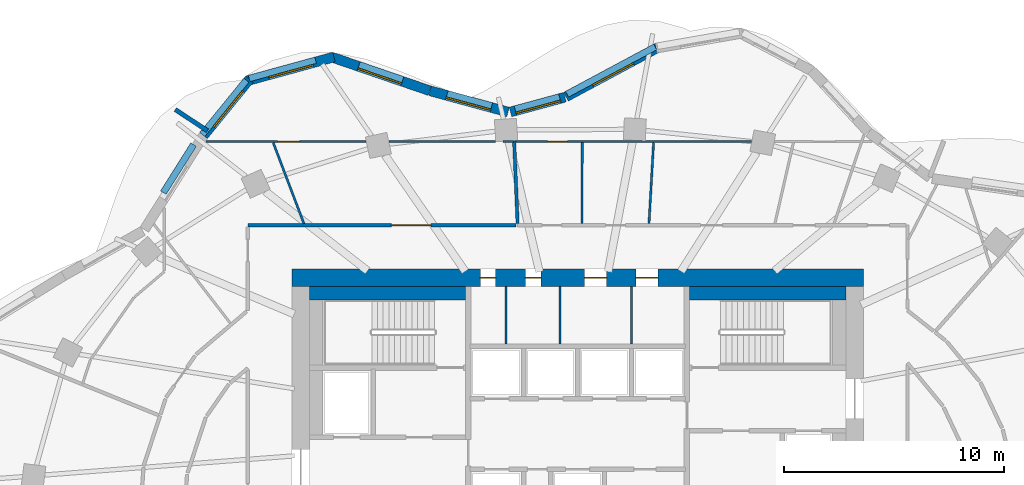
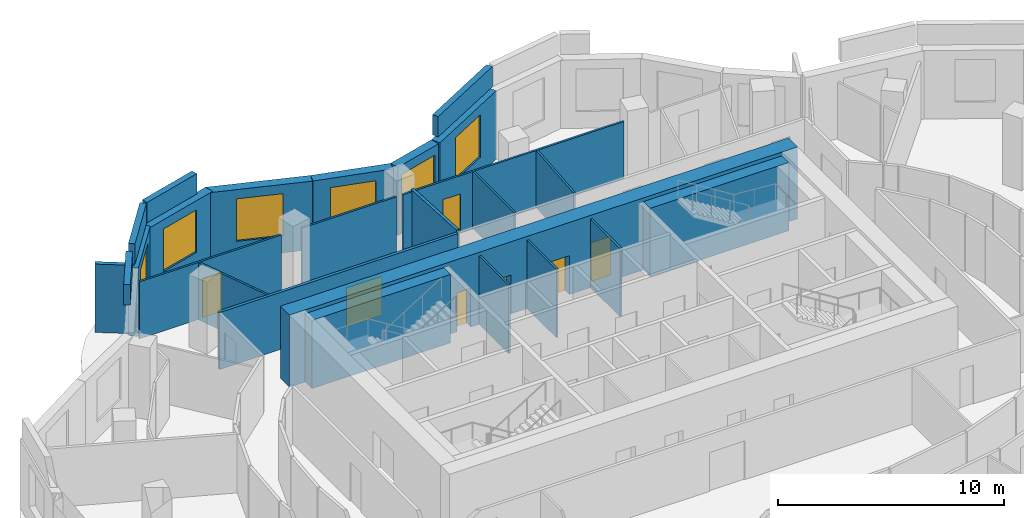
# One storey, part 8 of 11: 26 walls, 7 doors, 6 windows, 13 openings.
"""IFC4 building model written with IfcOpenShell, lengths in metres."""

from ifc_helpers import new_model, si_unit, direction, frame, frame_2d, origin, place, context, subcontext, project, spatial, rectangle, extrude, material, layer, layer_set, type_object, element, fill, save


model = new_model("IFC4")

# Units and contexts
model_context = context("Model", 3, precision=1e-05, world=origin(), true_north=direction((0.0, 1.0)))
body_context = subcontext(model_context, "Body", "Model", "MODEL_VIEW")
ifc_project = project(units=[si_unit("LENGTHUNIT", "METRE"), si_unit("AREAUNIT", "SQUARE_METRE"), si_unit("VOLUMEUNIT", "CUBIC_METRE"), si_unit("PLANEANGLEUNIT", "RADIAN"), si_unit("MASSUNIT", "GRAM", prefix="KILO")], contexts=[model_context])

# Site, building, storey
site_placement = place(None, origin())
site = spatial("IfcSite", under=ifc_project, at=site_placement, CompositionType="ELEMENT")
building_placement = place(site_placement, origin())
building = spatial("IfcBuilding", under=site, at=building_placement, Name="Rubra Terraces Tower", CompositionType="ELEMENT")
storey_placement = place(building_placement, frame((0.0, 0.0, 237.0)))
storey = spatial("IfcBuildingStorey", under=building, at=storey_placement, Name="L58", CompositionType="ELEMENT", Elevation=237.0)

# Wall, opening, window
ifc_material_1 = material(Name="Brick masonry red-brown", Category="masonry")
ifc_layer_1 = layer(ifc_material_1, 0.449951171875)
ifc_layer_set_1 = layer_set([ifc_layer_1], Name="Brick masonry red-brown")
wall_type_1 = type_object("IfcWallType", Name="Brick facade wall 450", PredefinedType="SOLIDWALL", material=ifc_layer_set_1)
wall_1_placement = place(storey_placement, frame((3.6455078125, 22.07861328125, 0.0), z_axis=(0.0, 0.0, 1.0), x_axis=(-0.881279133897, -0.472596115259, 0.0)))
wall_1 = element("IfcWall", 1, at=wall_1_placement, inside=storey, type_object=wall_type_1, Name="Facade wall L58 bay 10", PredefinedType="SOLIDWALL", context=body_context, shape_type="SweptSolid", body=[
    extrude(rectangle(XDim=4.736572265625, YDim=0.449951171875, at=frame_2d((2.3681640625, 0.0))), origin(), (0.0, 0.0, 1.0), 3.699951171875),
])
opening_1_placement = place(wall_1_placement, frame((1.318115234375, 0.0, 0.89990234375)))
opening_1 = element("IfcOpeningElement", 2, at=opening_1_placement, cuts=wall_1, Name="Opening W1B", PredefinedType="OPENING", context=body_context, shape_type="SweptSolid", body=[
    extrude(rectangle(XDim=2.10009765625, YDim=2.300048828125, at=frame_2d((1.050048828125, 1.14990234375))), frame((0.0, 0.23486328125, 0.0), z_axis=(0.0, -1.0, 0.0), x_axis=(1.0, 0.0, 0.0)), (0.0, 0.0, 1.0), 0.469970703125),
])
ifc_material_2 = material(Name="Clear glass in aluminium frame", Category="aluminium")
window_type = type_object("IfcWindowType", Name="Fixed deep-set window tall storey 2100 x 2300", PartitioningType="SINGLE_PANEL", PredefinedType="WINDOW", material=ifc_material_2)
window_1_placement = place(opening_1_placement, origin())
window_1 = element("IfcWindow", 3, at=window_1_placement, inside=storey, type_object=window_type, Name="Window L58 bay 10", OverallHeight=2.300048828125, OverallWidth=2.10009765625, PartitioningType="SINGLE_PANEL", PredefinedType="WINDOW", context=body_context, shape_type="SweptSolid", body=[
    extrude(rectangle(XDim=2.10009765625, YDim=2.300048828125, at=frame_2d((1.050048828125, 1.14990234375))), frame((0.0, 0.135009765625, 0.0), z_axis=(0.0, -1.0, 0.0), x_axis=(1.0, 0.0, 0.0)), (0.0, 0.0, 1.0), 0.06005859375),
])
fill(opening_1, window_1)

wall_2_placement = place(storey_placement, frame((-0.576171875, 19.8212890625, 0.0), z_axis=(0.0, 0.0, 1.0), x_axis=(-0.965009398019, -0.262215296532, 0.0)))
wall_2 = element("IfcWall", 4, at=wall_2_placement, inside=storey, type_object=wall_type_1, Name="Facade wall L58 bay 11", PredefinedType="SOLIDWALL", context=body_context, shape_type="SweptSolid", body=[
    extrude(rectangle(XDim=2.565185546875, YDim=0.449951171875, at=frame_2d((1.28271484375, 0.0))), origin(), (0.0, 0.0, 1.0), 3.699951171875),
])
opening_2_placement = place(wall_2_placement, frame((0.232666015625, 0.0, 0.89990234375)))
opening_2 = element("IfcOpeningElement", 5, at=opening_2_placement, cuts=wall_2, Name="Opening W1B", PredefinedType="OPENING", context=body_context, shape_type="SweptSolid", body=[
    extrude(rectangle(XDim=2.10009765625, YDim=2.300048828125, at=frame_2d((1.050048828125, 1.14990234375))), frame((0.0, 0.23486328125, 0.0), z_axis=(0.0, -1.0, 0.0), x_axis=(1.0, 0.0, 0.0)), (0.0, 0.0, 1.0), 0.469970703125),
])
window_2_placement = place(opening_2_placement, origin())
window_2 = element("IfcWindow", 6, at=window_2_placement, inside=storey, type_object=window_type, Name="Window L58 bay 11", OverallHeight=2.300048828125, OverallWidth=2.10009765625, PartitioningType="SINGLE_PANEL", PredefinedType="WINDOW", context=body_context, shape_type="SweptSolid", body=[
    extrude(rectangle(XDim=2.10009765625, YDim=2.300048828125, at=frame_2d((1.050048828125, 1.14990234375))), frame((0.0, 0.135009765625, 0.0), z_axis=(0.0, -1.0, 0.0), x_axis=(1.0, 0.0, 0.0)), (0.0, 0.0, 1.0), 0.06005859375),
])
fill(opening_2, window_2)

wall_3_placement = place(storey_placement, frame((-3.164306640625, 19.147216796875, 0.0), z_axis=(0.0, 0.0, 1.0), x_axis=(-0.965039479998, 0.262104563191, 0.0)))
wall_3 = element("IfcWall", 7, at=wall_3_placement, inside=storey, type_object=wall_type_1, Name="Facade wall L58 bay 12", PredefinedType="SOLIDWALL", context=body_context, shape_type="SweptSolid", body=[
    extrude(rectangle(XDim=3.671875, YDim=0.449951171875, at=frame_2d((1.8359375, 0.0))), origin(), (0.0, 0.0, 1.0), 3.699951171875),
])
opening_3_placement = place(wall_3_placement, frame((0.785888671875, 0.0, 0.89990234375)))
opening_3 = element("IfcOpeningElement", 8, at=opening_3_placement, cuts=wall_3, Name="Opening W1B", PredefinedType="OPENING", context=body_context, shape_type="SweptSolid", body=[
    extrude(rectangle(XDim=2.10009765625, YDim=2.300048828125, at=frame_2d((1.050048828125, 1.14990234375))), frame((0.0, 0.23486328125, 0.0), z_axis=(0.0, -1.0, 0.0), x_axis=(1.0, 0.0, 0.0)), (0.0, 0.0, 1.0), 0.469970703125),
])
window_3_placement = place(opening_3_placement, origin())
window_3 = element("IfcWindow", 9, at=window_3_placement, inside=storey, type_object=window_type, Name="Window L58 bay 12", OverallHeight=2.300048828125, OverallWidth=2.10009765625, PartitioningType="SINGLE_PANEL", PredefinedType="WINDOW", context=body_context, shape_type="SweptSolid", body=[
    extrude(rectangle(XDim=2.10009765625, YDim=2.300048828125, at=frame_2d((1.050048828125, 1.14990234375))), frame((0.0, 0.135009765625, 0.0), z_axis=(0.0, -1.0, 0.0), x_axis=(1.0, 0.0, 0.0)), (0.0, 0.0, 1.0), 0.06005859375),
])
fill(opening_3, window_3)

wall_4_placement = place(storey_placement, frame((-6.722900390625, 20.114013671875, 0.0), z_axis=(0.0, 0.0, 1.0), x_axis=(-0.945947299026, 0.324320377815, 0.0)))
wall_4 = element("IfcWall", 10, at=wall_4_placement, inside=storey, type_object=wall_type_1, Name="Facade wall L58 bay 13", PredefinedType="SOLIDWALL", context=body_context, shape_type="SweptSolid", body=[
    extrude(rectangle(XDim=4.74462890625, YDim=0.449951171875, at=frame_2d((2.372314453125, 0.0))), origin(), (0.0, 0.0, 1.0), 3.699951171875),
])
opening_4_placement = place(wall_4_placement, frame((1.322265625, 0.0, 0.89990234375)))
opening_4 = element("IfcOpeningElement", 11, at=opening_4_placement, cuts=wall_4, Name="Opening W1B", PredefinedType="OPENING", context=body_context, shape_type="SweptSolid", body=[
    extrude(rectangle(XDim=2.10009765625, YDim=2.300048828125, at=frame_2d((1.050048828125, 1.14990234375))), frame((0.0, 0.23486328125, 0.0), z_axis=(0.0, -1.0, 0.0), x_axis=(1.0, 0.0, 0.0)), (0.0, 0.0, 1.0), 0.469970703125),
])
window_4_placement = place(opening_4_placement, origin())
window_4 = element("IfcWindow", 12, at=window_4_placement, inside=storey, type_object=window_type, Name="Window L58 bay 13", OverallHeight=2.300048828125, OverallWidth=2.10009765625, PartitioningType="SINGLE_PANEL", PredefinedType="WINDOW", context=body_context, shape_type="SweptSolid", body=[
    extrude(rectangle(XDim=2.10009765625, YDim=2.300048828125, at=frame_2d((1.050048828125, 1.14990234375))), frame((0.0, 0.135009765625, 0.0), z_axis=(0.0, -1.0, 0.0), x_axis=(1.0, 0.0, 0.0)), (0.0, 0.0, 1.0), 0.06005859375),
])
fill(opening_4, window_4)

wall_5_placement = place(storey_placement, frame((-11.08251953125, 21.64990234375, 0.0), z_axis=(0.0, 0.0, 1.0), x_axis=(-0.964483204983, -0.264144179011, 0.0)))
wall_5 = element("IfcWall", 13, at=wall_5_placement, inside=storey, type_object=wall_type_1, Name="Facade wall L58 bay 14", PredefinedType="SOLIDWALL", context=body_context, shape_type="SweptSolid", body=[
    extrude(rectangle(XDim=4.103759765625, YDim=0.449951171875, at=frame_2d((2.0517578125, 0.0))), origin(), (0.0, 0.0, 1.0), 3.699951171875),
])
opening_5_placement = place(wall_5_placement, frame((1.001953125, 0.0, 0.89990234375)))
opening_5 = element("IfcOpeningElement", 14, at=opening_5_placement, cuts=wall_5, Name="Opening W1B", PredefinedType="OPENING", context=body_context, shape_type="SweptSolid", body=[
    extrude(rectangle(XDim=2.10009765625, YDim=2.300048828125, at=frame_2d((1.050048828125, 1.14990234375))), frame((0.0, 0.23486328125, 0.0), z_axis=(0.0, -1.0, 0.0), x_axis=(1.0, 0.0, 0.0)), (0.0, 0.0, 1.0), 0.469970703125),
])
window_5_placement = place(opening_5_placement, origin())
window_5 = element("IfcWindow", 15, at=window_5_placement, inside=storey, type_object=window_type, Name="Window L58 bay 14", OverallHeight=2.300048828125, OverallWidth=2.10009765625, PartitioningType="SINGLE_PANEL", PredefinedType="WINDOW", context=body_context, shape_type="SweptSolid", body=[
    extrude(rectangle(XDim=2.10009765625, YDim=2.300048828125, at=frame_2d((1.050048828125, 1.14990234375))), frame((0.0, 0.135009765625, 0.0), z_axis=(0.0, -1.0, 0.0), x_axis=(1.0, 0.0, 0.0)), (0.0, 0.0, 1.0), 0.06005859375),
])
fill(opening_5, window_5)

wall_6_placement = place(storey_placement, frame((-14.925537109375, 20.640869140625, 0.0), z_axis=(0.0, 0.0, 1.0), x_axis=(-0.631548074669, -0.775336720001, 0.0)))
wall_6 = element("IfcWall", 16, at=wall_6_placement, inside=storey, type_object=wall_type_1, Name="Facade wall L58 bay 15", PredefinedType="SOLIDWALL", context=body_context, shape_type="SweptSolid", body=[
    extrude(rectangle(XDim=3.3076171875, YDim=0.449951171875, at=frame_2d((1.65380859375, 0.0))), origin(), (0.0, 0.0, 1.0), 3.699951171875),
])
opening_6_placement = place(wall_6_placement, frame((0.603759765625, 0.0, 0.89990234375)))
opening_6 = element("IfcOpeningElement", 17, at=opening_6_placement, cuts=wall_6, Name="Opening W1B", PredefinedType="OPENING", context=body_context, shape_type="SweptSolid", body=[
    extrude(rectangle(XDim=2.10009765625, YDim=2.300048828125, at=frame_2d((1.050048828125, 1.14990234375))), frame((0.0, 0.23486328125, 0.0), z_axis=(0.0, -1.0, 0.0), x_axis=(1.0, 0.0, 0.0)), (0.0, 0.0, 1.0), 0.469970703125),
])
window_6_placement = place(opening_6_placement, origin())
window_6 = element("IfcWindow", 18, at=window_6_placement, inside=storey, type_object=window_type, Name="Window L58 bay 15", OverallHeight=2.300048828125, OverallWidth=2.10009765625, PartitioningType="SINGLE_PANEL", PredefinedType="WINDOW", context=body_context, shape_type="SweptSolid", body=[
    extrude(rectangle(XDim=2.10009765625, YDim=2.300048828125, at=frame_2d((1.050048828125, 1.14990234375))), frame((0.0, 0.135009765625, 0.0), z_axis=(0.0, -1.0, 0.0), x_axis=(1.0, 0.0, 0.0)), (0.0, 0.0, 1.0), 0.06005859375),
])
fill(opening_6, window_6)

# Walls
ifc_layer_2 = layer(ifc_material_1, 0.300048828125)
ifc_layer_set_2 = layer_set([ifc_layer_2], Name="Brick masonry red-brown")
wall_type_2 = type_object("IfcWallType", Name="Brick parapet 300", PredefinedType="PARAPET", material=ifc_layer_set_2)
wall_7_placement = place(storey_placement, frame((3.52978515625, 22.105712890625, 3.89990234375), z_axis=(0.0, 0.0, 1.0), x_axis=(-0.881258931682, -0.472633785643, 0.0)))
element("IfcWall", 19, at=wall_7_placement, inside=storey, type_object=wall_type_2, Name="Parapet L58 bay 10", PredefinedType="PARAPET", context=body_context, shape_type="SweptSolid", body=[
    extrude(rectangle(XDim=4.55029296875, YDim=0.300048828125, at=frame_2d((2.275146484375, 0.0))), origin(), (0.0, 0.0, 1.0), 1.10009765625),
])
wall_8_placement = place(storey_placement, frame((-11.916259765625, 21.49951171875, 3.89990234375), z_axis=(0.0, 0.0, 1.0), x_axis=(-0.964473787466, -0.264178563271, 0.0)))
element("IfcWall", 20, at=wall_8_placement, inside=storey, type_object=wall_type_2, Name="Parapet L58 bay 14", PredefinedType="PARAPET", context=body_context, shape_type="SweptSolid", body=[
    extrude(rectangle(XDim=3.1337890625, YDim=0.300048828125, at=frame_2d((1.56689453125, 0.0))), origin(), (0.0, 0.0, 1.0), 1.10009765625),
])
wall_9_placement = place(storey_placement, frame((-15.063232421875, 20.590576171875, 3.89990234375), z_axis=(0.0, 0.0, 1.0), x_axis=(-0.631539712948, -0.775343530939, 0.0)))
element("IfcWall", 21, at=wall_9_placement, inside=storey, type_object=wall_type_2, Name="Parapet L58 bay 15", PredefinedType="PARAPET", context=body_context, shape_type="SweptSolid", body=[
    extrude(rectangle(XDim=3.181640625, YDim=0.300048828125, at=frame_2d((1.5908203125, 0.0))), origin(), (0.0, 0.0, 1.0), 1.10009765625),
])
wall_10_placement = place(storey_placement, frame((-17.4658203125, 17.663818359375, 3.89990234375), z_axis=(0.0, 0.0, 1.0), x_axis=(-0.532743008157, -0.846277074758, 0.0)))
element("IfcWall", 22, at=wall_10_placement, inside=storey, type_object=wall_type_2, Name="Parapet L58 bay 16", PredefinedType="PARAPET", context=body_context, shape_type="SweptSolid", body=[
    extrude(rectangle(XDim=2.58056640625, YDim=0.300048828125, at=frame_2d((1.290283203125, 0.0))), origin(), (0.0, 0.0, 1.0), 1.10009765625),
])
ifc_layer_3 = layer(ifc_material_1, 0.199951171875)
ifc_layer_set_3 = layer_set([ifc_layer_3], Name="Brick masonry red-brown")
wall_type_3 = type_object("IfcWallType", Name="Brick wind fin 200", PredefinedType="SOLIDWALL", material=ifc_layer_set_3)
wall_11_placement = place(storey_placement, frame((-16.837890625, 18.298095703125, 0.0), z_axis=(0.0, 0.0, 1.0), x_axis=(-0.835871900419, 0.548924554097, 0.0)))
element("IfcWall", 23, at=wall_11_placement, inside=storey, type_object=wall_type_3, Name="Wind fin L58 9", PredefinedType="SOLIDWALL", context=body_context, shape_type="SweptSolid", body=[
    extrude(rectangle(XDim=1.750244140625, YDim=0.199951171875, at=frame_2d((0.875, 0.0))), origin(), (0.0, 0.0, 1.0), 3.699951171875),
])

# Wall, openings, doors
ifc_material_3 = material(Name="Concrete C50", Category="concrete")
ifc_layer_4 = layer(ifc_material_3, 0.800048828125)
ifc_layer_set_4 = layer_set([ifc_layer_4], Name="Concrete C50")
wall_type_4 = type_object("IfcWallType", Name="CORE WALL 800 C50", PredefinedType="SHEAR", material=ifc_layer_set_4)
wall_12_placement = place(storey_placement, frame((-13.0, 11.60009765625, 0.0), z_axis=(0.0, 0.0, 1.0), x_axis=(1.0, 0.0, 0.0)))
wall_12 = element("IfcWall", 24, at=wall_12_placement, inside=storey, type_object=wall_type_4, Name="CORE WALL N L58", PredefinedType="SHEAR", context=body_context, shape_type="SweptSolid", body=[
    extrude(rectangle(XDim=26.0, YDim=0.800048828125, at=frame_2d((13.0, 0.0))), origin(), (0.0, 0.0, 1.0), 3.89990234375),
])
opening_7_placement = place(wall_12_placement, frame((8.574951171875, 0.0, 0.0)))
opening_7 = element("IfcOpeningElement", 25, at=opening_7_placement, cuts=wall_12, Name="Opening L58.C25", PredefinedType="OPENING", context=body_context, shape_type="SweptSolid", body=[
    extrude(rectangle(XDim=0.699951171875, YDim=2.10009765625, at=frame_2d((0.35009765625, 1.050048828125))), frame((0.0, 0.409912109375, 0.0), z_axis=(0.0, -1.0, 0.0), x_axis=(1.0, 0.0, 0.0)), (0.0, 0.0, 1.0), 0.820068359375),
])
opening_8_placement = place(wall_12_placement, frame((10.625, 0.0, 0.0)))
opening_8 = element("IfcOpeningElement", 26, at=opening_8_placement, cuts=wall_12, Name="Opening L58.C26", PredefinedType="OPENING", context=body_context, shape_type="SweptSolid", body=[
    extrude(rectangle(XDim=0.699951171875, YDim=2.10009765625, at=frame_2d((0.35009765625, 1.050048828125))), frame((0.0, 0.409912109375, 0.0), z_axis=(0.0, -1.0, 0.0), x_axis=(1.0, 0.0, 0.0)), (0.0, 0.0, 1.0), 0.820068359375),
])
opening_9_placement = place(wall_12_placement, frame((13.324951171875, 0.0, 0.0)))
opening_9 = element("IfcOpeningElement", 27, at=opening_9_placement, cuts=wall_12, Name="Opening L58.C27", PredefinedType="OPENING", context=body_context, shape_type="SweptSolid", body=[
    extrude(rectangle(XDim=1.0, YDim=2.10009765625, at=frame_2d((0.5, 1.050048828125))), frame((0.0, 0.409912109375, 0.0), z_axis=(0.0, -1.0, 0.0), x_axis=(1.0, 0.0, 0.0)), (0.0, 0.0, 1.0), 0.820068359375),
])
opening_10_placement = place(wall_12_placement, frame((15.64990234375, 0.0, 0.0)))
opening_10 = element("IfcOpeningElement", 28, at=opening_10_placement, cuts=wall_12, Name="Opening L58.C28", PredefinedType="OPENING", context=body_context, shape_type="SweptSolid", body=[
    extrude(rectangle(XDim=1.0, YDim=2.10009765625, at=frame_2d((0.5, 1.050048828125))), frame((0.0, 0.409912109375, 0.0), z_axis=(0.0, -1.0, 0.0), x_axis=(1.0, 0.0, 0.0)), (0.0, 0.0, 1.0), 0.820068359375),
])
ifc_material_4 = material(Name="Painted steel", Category="steel")
door_type_1 = type_object("IfcDoorType", Name="Fire door 1000x2100 single", OperationType="NOTDEFINED", PredefinedType="DOOR", material=ifc_material_4)
door_1_placement = place(opening_9_placement, origin())
door_1 = element("IfcDoor", 29, at=door_1_placement, inside=storey, type_object=door_type_1, Name="Tea point door", OperationType="SINGLE_SWING_LEFT", OverallHeight=2.10009765625, OverallWidth=1.0, PredefinedType="DOOR", context=body_context, shape_type="SweptSolid", body=[
    extrude(rectangle(XDim=1.0, YDim=2.10009765625, at=frame_2d((0.5, 1.050048828125))), frame((0.0, 0.02490234375, 0.0), z_axis=(0.0, -1.0, 0.0), x_axis=(1.0, 0.0, 0.0)), (0.0, 0.0, 1.0), 0.050048828125),
])
fill(opening_9, door_1)
door_2_placement = place(opening_10_placement, origin())
door_2 = element("IfcDoor", 30, at=door_2_placement, inside=storey, type_object=door_type_1, Name="Refuse room door", OperationType="SINGLE_SWING_RIGHT", OverallHeight=2.10009765625, OverallWidth=1.0, PredefinedType="DOOR", context=body_context, shape_type="SweptSolid", body=[
    extrude(rectangle(XDim=1.0, YDim=2.10009765625, at=frame_2d((0.5, 1.050048828125))), frame((0.0, 0.02490234375, 0.0), z_axis=(0.0, -1.0, 0.0), x_axis=(1.0, 0.0, 0.0)), (0.0, 0.0, 1.0), 0.050048828125),
])
fill(opening_10, door_2)
door_type_2 = type_object("IfcDoorType", Name="Riser access door 700x2100 single", OperationType="NOTDEFINED", PredefinedType="DOOR", material=ifc_material_4)
door_3_placement = place(opening_7_placement, origin())
door_3 = element("IfcDoor", 31, at=door_3_placement, inside=storey, type_object=door_type_2, Name="Telecoms room door", OperationType="SINGLE_SWING_LEFT", OverallHeight=2.10009765625, OverallWidth=0.699951171875, PredefinedType="DOOR", context=body_context, shape_type="SweptSolid", body=[
    extrude(rectangle(XDim=0.699951171875, YDim=2.10009765625, at=frame_2d((0.35009765625, 1.050048828125))), frame((0.0, 0.02490234375, 0.0), z_axis=(0.0, -1.0, 0.0), x_axis=(1.0, 0.0, 0.0)), (0.0, 0.0, 1.0), 0.050048828125),
])
fill(opening_7, door_3)
door_4_placement = place(opening_8_placement, origin())
door_4 = element("IfcDoor", 32, at=door_4_placement, inside=storey, type_object=door_type_2, Name="Electrical riser room door", OperationType="SINGLE_SWING_RIGHT", OverallHeight=2.10009765625, OverallWidth=0.699951171875, PredefinedType="DOOR", context=body_context, shape_type="SweptSolid", body=[
    extrude(rectangle(XDim=0.699951171875, YDim=2.10009765625, at=frame_2d((0.35009765625, 1.050048828125))), frame((0.0, 0.02490234375, 0.0), z_axis=(0.0, -1.0, 0.0), x_axis=(1.0, 0.0, 0.0)), (0.0, 0.0, 1.0), 0.050048828125),
])
fill(opening_8, door_4)

# Wall, opening, door
ifc_material_5 = material(Name="Plasterboard on steel stud, mineral wool infill", Category="steel")
ifc_layer_5 = layer(ifc_material_5, 0.14990234375)
ifc_layer_set_5 = layer_set([ifc_layer_5], Name="Plasterboard on steel stud, mineral wool infill")
wall_type_5 = type_object("IfcWallType", Name="CORRIDOR PARTITION 150", PredefinedType="PARTITIONING", material=ifc_layer_set_5)
wall_13_placement = place(storey_placement, frame((-2.80029296875, 14.0, 0.0), z_axis=(0.0, 0.0, 1.0), x_axis=(-1.0, 0.0, 0.0)))
wall_13 = element("IfcWall", 33, at=wall_13_placement, inside=storey, type_object=wall_type_5, Name="PARTITION", PredefinedType="PARTITIONING", context=body_context, shape_type="SweptSolid", body=[
    extrude(rectangle(XDim=12.19970703125, YDim=0.14990234375, at=frame_2d((6.099853515625, 0.0))), origin(), (0.0, 0.0, 1.0), 3.083984375),
])
opening_11_placement = place(wall_13_placement, frame((3.8720703125, 0.0, 0.0)))
opening_11 = element("IfcOpeningElement", 34, at=opening_11_placement, cuts=wall_13, Name="Opening 58-117", PredefinedType="OPENING", context=body_context, shape_type="SweptSolid", body=[
    extrude(rectangle(XDim=1.800048828125, YDim=2.10009765625, at=frame_2d((0.89990234375, 1.050048828125))), frame((0.0, 0.0849609375, 0.0), z_axis=(0.0, -1.0, 0.0), x_axis=(1.0, 0.0, 0.0)), (0.0, 0.0, 1.0), 0.169921875),
])
ifc_material_6 = material(Name="Painted timber door leaf, double", Category="wood")
door_type_3 = type_object("IfcDoorType", Name="ROOM DOUBLE DOOR 1800 X 2100", OperationType="DOUBLE_DOOR_SINGLE_SWING", PredefinedType="DOOR", material=ifc_material_6)
door_5_placement = place(opening_11_placement, origin())
door_5 = element("IfcDoor", 35, at=door_5_placement, inside=storey, type_object=door_type_3, Name="DOOR 58-117", OperationType="DOUBLE_DOOR_SINGLE_SWING", OverallHeight=2.10009765625, OverallWidth=1.800048828125, PredefinedType="DOOR", context=body_context, shape_type="SweptSolid", body=[
    extrude(rectangle(XDim=1.800048828125, YDim=2.10009765625, at=frame_2d((0.89990234375, 1.050048828125))), frame((0.0, 0.02490234375, 0.0), z_axis=(0.0, -1.0, 0.0), x_axis=(1.0, 0.0, 0.0)), (0.0, 0.0, 1.0), 0.050048828125),
])
fill(opening_11, door_5)

# Walls
ifc_material_7 = material(Name="Concrete C40", Category="concrete")
ifc_layer_6 = layer(ifc_material_7, 0.60009765625)
ifc_layer_set_6 = layer_set([ifc_layer_6], Name="Concrete C40")
wall_type_6 = type_object("IfcWallType", Name="Core lining wall 600 concrete", PredefinedType="SOLIDWALL", material=ifc_layer_set_6)
for number, where, z_axis, x_axis, name in (
    (36, (-12.199951171875, 10.89990234375, 0.0), (0.0, 0.0, 1.0), (1.0, 0.0, 0.0), "CORE LINING WALL L58"),
    (37, (12.199951171875, 10.89990234375, 0.0), (0.0, 0.0, 1.0), (-1.0, 0.0, 0.0), "CORE LINING WALL L58"),
):
    element("IfcWall", number, at=place(storey_placement, frame(where, z_axis=z_axis, x_axis=x_axis)), inside=storey, type_object=wall_type_6, Name=name, PredefinedType="SOLIDWALL", context=body_context, shape_type="SweptSolid", body=[
        extrude(rectangle(XDim=7.099853515625, YDim=0.60009765625, at=frame_2d((3.5498046875, 0.0))), origin(), (0.0, 0.0, 1.0), 3.699951171875),
    ])

# Wall, opening, door
ifc_material_8 = material(Name="Plasterboard on steel stud", Category="steel")
ifc_layer_7 = layer(ifc_material_8, 0.10009765625)
ifc_layer_set_7 = layer_set([ifc_layer_7], Name="Plasterboard on steel stud")
wall_type_7 = type_object("IfcWallType", Name="ROOM PARTITION 100", PredefinedType="PARTITIONING", material=ifc_layer_set_7)
wall_14_placement = place(storey_placement, frame((-2.865234375, 17.800048828125, 0.0), z_axis=(0.0, 0.0, 1.0), x_axis=(1.0, 0.0, 0.0)))
wall_14 = element("IfcWall", 38, at=wall_14_placement, inside=storey, type_object=wall_type_7, Name="PARTITION", PredefinedType="PARTITIONING", context=body_context, shape_type="SweptSolid", body=[
    extrude(rectangle(XDim=10.767333984375, YDim=0.10009765625, at=frame_2d((5.3837890625, 0.0))), origin(), (0.0, 0.0, 1.0), 3.083984375),
])
opening_12_placement = place(wall_14_placement, frame((1.4970703125, 0.0, 0.0)))
opening_12 = element("IfcOpeningElement", 39, at=opening_12_placement, cuts=wall_14, Name="Opening 58-116", PredefinedType="OPENING", context=body_context, shape_type="SweptSolid", body=[
    extrude(rectangle(XDim=0.89990234375, YDim=2.10009765625, at=frame_2d((0.449951171875, 1.050048828125))), frame((0.0, 0.06005859375, 0.0), z_axis=(0.0, -1.0, 0.0), x_axis=(1.0, 0.0, 0.0)), (0.0, 0.0, 1.0), 0.1201171875),
])
ifc_material_9 = material(Name="Painted timber door leaf", Category="wood")
door_type_4 = type_object("IfcDoorType", Name="ROOM DOOR 900 X 2100", OperationType="SINGLE_SWING_LEFT", PredefinedType="DOOR", material=ifc_material_9)
door_6_placement = place(opening_12_placement, origin())
door_6 = element("IfcDoor", 40, at=door_6_placement, inside=storey, type_object=door_type_4, Name="DOOR 58-116", OperationType="SINGLE_SWING_LEFT", OverallHeight=2.10009765625, OverallWidth=0.89990234375, PredefinedType="DOOR", context=body_context, shape_type="SweptSolid", body=[
    extrude(rectangle(XDim=0.89990234375, YDim=2.10009765625, at=frame_2d((0.449951171875, 1.050048828125))), frame((0.0, 0.02490234375, 0.0), z_axis=(0.0, -1.0, 0.0), x_axis=(1.0, 0.0, 0.0)), (0.0, 0.0, 1.0), 0.050048828125),
])
fill(opening_12, door_6)

# Walls
wall_15_placement = place(storey_placement, frame((3.2470703125, 14.074951171875, 0.0), z_axis=(0.0, 0.0, 1.0), x_axis=(0.056641796207, 0.99839456475, 0.0)))
element("IfcWall", 41, at=wall_15_placement, inside=storey, type_object=wall_type_7, Name="PARTITION", PredefinedType="PARTITIONING", context=body_context, shape_type="SweptSolid", body=[
    extrude(rectangle(XDim=3.680908203125, YDim=0.10009765625, at=frame_2d((1.84033203125, 0.0))), origin(), (0.0, 0.0, 1.0), 3.083984375),
])
wall_16_placement = place(storey_placement, frame((0.200439453125, 14.074951171875, 0.0), z_axis=(0.0, 0.0, 1.0), x_axis=(0.002325111632, 0.999997296924, 0.0)))
element("IfcWall", 42, at=wall_16_placement, inside=storey, type_object=wall_type_7, Name="PARTITION", PredefinedType="PARTITIONING", context=body_context, shape_type="SweptSolid", body=[
    extrude(rectangle(XDim=3.675048828125, YDim=0.10009765625, at=frame_2d((1.83740234375, 0.0))), origin(), (0.0, 0.0, 1.0), 3.083984375),
])

# Wall, opening, door
wall_17_placement = place(storey_placement, frame((-16.896728515625, 17.800048828125, 0.0), z_axis=(0.0, 0.0, 1.0), x_axis=(1.0, 0.0, 0.0)))
wall_17 = element("IfcWall", 43, at=wall_17_placement, inside=storey, type_object=wall_type_7, Name="PARTITION", PredefinedType="PARTITIONING", context=body_context, shape_type="SweptSolid", body=[
    extrude(rectangle(XDim=7.26416015625, YDim=0.10009765625, at=frame_2d((3.632080078125, 0.0))), origin(), (0.0, 0.0, 1.0), 3.083984375),
])
opening_13_placement = place(wall_17_placement, frame((3.25, 0.0, 0.0)))
opening_13 = element("IfcOpeningElement", 44, at=opening_13_placement, cuts=wall_17, Name="Opening 58-129", PredefinedType="OPENING", context=body_context, shape_type="SweptSolid", body=[
    extrude(rectangle(XDim=1.0, YDim=2.10009765625, at=frame_2d((0.5, 1.050048828125))), frame((0.0, 0.06005859375, 0.0), z_axis=(0.0, -1.0, 0.0), x_axis=(1.0, 0.0, 0.0)), (0.0, 0.0, 1.0), 0.1201171875),
])
door_type_5 = type_object("IfcDoorType", Name="ROOM DOOR 1000 X 2100", OperationType="SINGLE_SWING_LEFT", PredefinedType="DOOR", material=ifc_material_9)
door_7_placement = place(opening_13_placement, origin())
door_7 = element("IfcDoor", 45, at=door_7_placement, inside=storey, type_object=door_type_5, Name="DOOR 58-129", OperationType="SINGLE_SWING_LEFT", OverallHeight=2.10009765625, OverallWidth=1.0, PredefinedType="DOOR", context=body_context, shape_type="SweptSolid", body=[
    extrude(rectangle(XDim=1.0, YDim=2.10009765625, at=frame_2d((0.5, 1.050048828125))), frame((0.0, 0.02490234375, 0.0), z_axis=(0.0, -1.0, 0.0), x_axis=(1.0, 0.0, 0.0)), (0.0, 0.0, 1.0), 0.050048828125),
])
fill(opening_13, door_7)

# Walls
wall_18_placement = place(storey_placement, frame((-8.568603515625, 17.800048828125, 0.0), z_axis=(0.0, 0.0, 1.0), x_axis=(1.0, 0.0, 0.0)))
element("IfcWall", 46, at=wall_18_placement, inside=storey, type_object=wall_type_7, Name="PARTITION", PredefinedType="PARTITIONING", context=body_context, shape_type="SweptSolid", body=[
    extrude(rectangle(XDim=4.826904296875, YDim=0.10009765625, at=frame_2d((2.41357421875, 0.0))), origin(), (0.0, 0.0, 1.0), 3.083984375),
])
wall_19_placement = place(storey_placement, frame((-3.396728515625, 17.800048828125, 0.0), z_axis=(0.0, 0.0, 1.0), x_axis=(1.0, 0.0, 0.0)))
element("IfcWall", 47, at=wall_19_placement, inside=storey, type_object=wall_type_7, Name="PARTITION", PredefinedType="PARTITIONING", context=body_context, shape_type="SweptSolid", body=[
    extrude(rectangle(XDim=0.491455078125, YDim=0.10009765625, at=frame_2d((0.24560546875, 0.0))), origin(), (0.0, 0.0, 1.0), 3.083984375),
])
wall_20_placement = place(storey_placement, frame((-12.447021484375, 14.070068359375, 0.0), z_axis=(0.0, 0.0, 1.0), x_axis=(-0.35453091347, 0.935044293814, 0.0)))
element("IfcWall", 48, at=wall_20_placement, inside=storey, type_object=wall_type_7, Name="PARTITION", PredefinedType="PARTITIONING", context=body_context, shape_type="SweptSolid", body=[
    extrude(rectangle(XDim=3.93896484375, YDim=0.10009765625, at=frame_2d((1.969482421875, 0.0))), origin(), (0.0, 0.0, 1.0), 3.083984375),
])
ifc_layer_8 = layer(ifc_material_8, 0.14990234375)
ifc_layer_set_8 = layer_set([ifc_layer_8], Name="Plasterboard on steel stud")
wall_type_8 = type_object("IfcWallType", Name="ROOM PARTITION 150", PredefinedType="PARTITIONING", material=ifc_layer_set_8)
wall_21_placement = place(storey_placement, frame((-2.88671875, 17.83203125, 0.0), z_axis=(0.0, 0.0, 1.0), x_axis=(0.042070718288, -0.999114635396, 0.0)))
element("IfcWall", 49, at=wall_21_placement, inside=storey, type_object=wall_type_8, Name="PARTITION", PredefinedType="PARTITIONING", context=body_context, shape_type="SweptSolid", body=[
    extrude(rectangle(XDim=3.760498046875, YDim=0.14990234375, at=frame_2d((1.88037109375, 0.0))), origin(), (0.0, 0.0, 1.0), 3.18408203125),
])
ifc_material_10 = material(Name="Blockwork", Category="masonry")
ifc_layer_9 = layer(ifc_material_10, 0.10009765625)
ifc_layer_set_9 = layer_set([ifc_layer_9], Name="Blockwork")
wall_type_9 = type_object("IfcWallType", Name="Service partition 100 blockwork", PredefinedType="PARTITIONING", material=ifc_layer_set_9)
for number, where, z_axis, x_axis, name in (
    (50, (-3.25, 8.60009765625, 0.0), (0.0, 0.0, 1.0), (0.0, 1.0, 0.0), "SERVICE ROOM PARTITION L58"),
    (51, (-0.800048828125, 8.60009765625, 0.0), (0.0, 0.0, 1.0), (0.0, 1.0, 0.0), "SERVICE ROOM PARTITION L58"),
    (52, (2.449951171875, 8.60009765625, 0.0), (0.0, 0.0, 1.0), (0.0, 1.0, 0.0), "SERVICE ROOM PARTITION L58"),
):
    element("IfcWall", number, at=place(storey_placement, frame(where, z_axis=z_axis, x_axis=x_axis)), inside=storey, type_object=wall_type_9, Name=name, PredefinedType="PARTITIONING", context=body_context, shape_type="SweptSolid", body=[
        extrude(rectangle(XDim=2.599853515625, YDim=0.10009765625, at=frame_2d((1.2998046875, 0.0))), origin(), (0.0, 0.0, 1.0), 3.699951171875),
    ])

save(model, "model.ifc")
